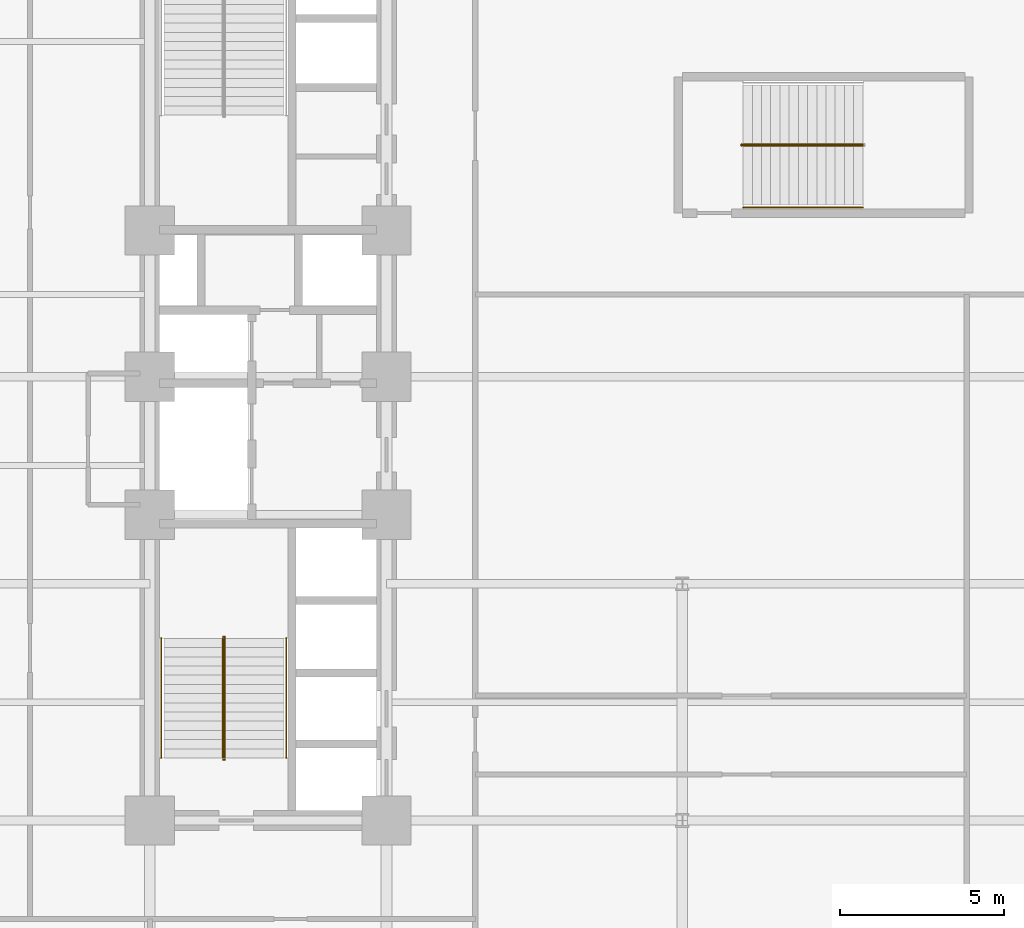
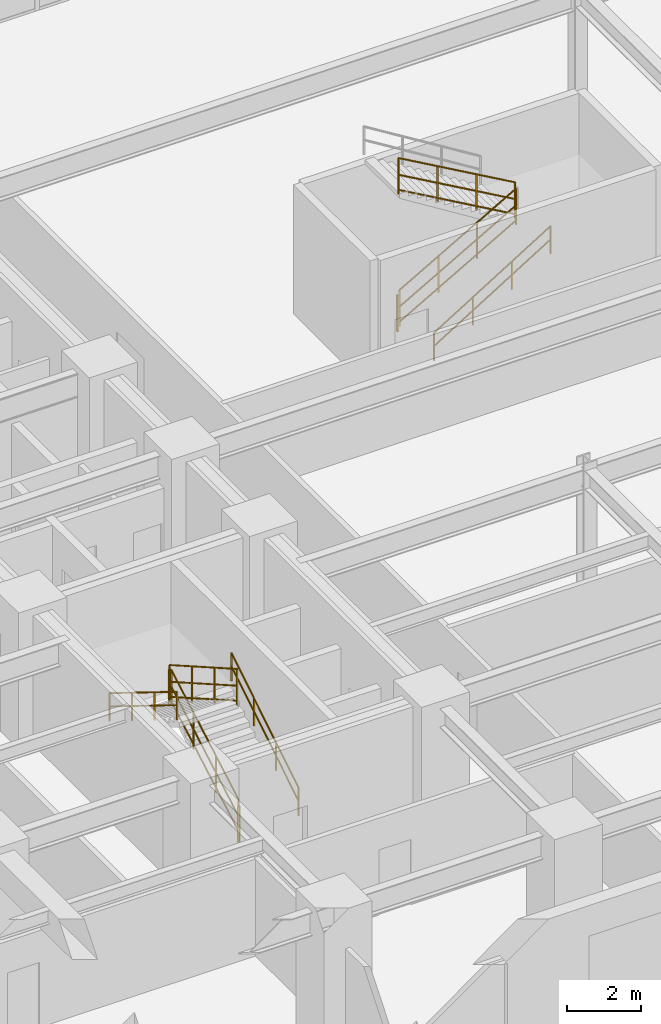
# One storey, part 13 of 15: 10 railings.
"""IFC4 building model written with IfcOpenShell, lengths in metres."""

from ifc_helpers import new_model, entity, si_unit, converted_unit, direction, frame, origin_with_axes, origin_2d_with_axis, place, context, subcontext, project, spatial, rectangle, circle, extrude, material, type_object, element, save


model = new_model("IFC4")

# Units and contexts
model_context = context("Model", 3, precision=1e-05, world=origin_with_axes(), true_north=direction((0.0, 1.0)))
body_context = subcontext(model_context, "Body", "Model", "MODEL_VIEW")
ifc_project = project(units=[si_unit("LENGTHUNIT", "METRE"), si_unit("AREAUNIT", "SQUARE_METRE"), si_unit("VOLUMEUNIT", "CUBIC_METRE"), converted_unit("PLANEANGLEUNIT", "DEGREE", entity("IfcPlaneAngleMeasure", 0.017453292519943295), si_unit("PLANEANGLEUNIT", "RADIAN"), dimensions=[0, 0, 0, 0, 0, 0, 0]), si_unit("MASSUNIT", "GRAM", prefix="KILO"), si_unit("THERMODYNAMICTEMPERATUREUNIT", "KELVIN")], contexts=[model_context])

# Site, building, storey
site_placement = place(None, origin_with_axes())
site = spatial("IfcSite", under=ifc_project, at=site_placement, CompositionType="ELEMENT")
building_placement = place(site_placement, origin_with_axes())
building = spatial("IfcBuilding", under=site, at=building_placement, Name="Varnlund Millrace Tower", CompositionType="ELEMENT")
storey_placement = place(building_placement, frame((0.0, 0.0, 15.3), z_axis=(0.0, 0.0, 1.0), x_axis=(1.0, 0.0, 0.0)))
storey = spatial("IfcBuildingStorey", under=building, at=storey_placement, Name="L03", CompositionType="ELEMENT", Elevation=15.3)

# Railings
ifc_material_1 = material(Name="Painted steel stair well balustrade guard", Category="steel")
railing_type_1 = type_object("IfcRailingType", Name="Type-StairGuard-1150", PredefinedType="GUARDRAIL", material=ifc_material_1)
railing_1_placement = place(storey_placement, frame((0.0, 0.0, -15.3), z_axis=(0.0, 0.0, 1.0), x_axis=(1.0, 0.0, 0.0)))
element("IfcRailing", 1, at=railing_1_placement, inside=storey, type_object=railing_type_1, Name="Type-StairGuard-1150", PredefinedType="GUARDRAIL", context=body_context, shape_type="SweptSolid", body=[
    extrude(circle(Radius=0.024, at=origin_2d_with_axis()), frame((13.675, 12.7, 16.623077), z_axis=(0.0, 0.868559, 0.495585), x_axis=(-1.0, 0.0, 0.0)), (0.0, 0.0, 1.0), 4.190848),
    extrude(circle(Radius=0.024, at=origin_2d_with_axis()), frame((13.675, 12.7, 15.573077), z_axis=(0.0, 0.868559, 0.495585), x_axis=(-1.0, 0.0, 0.0)), (0.0, 0.0, 1.0), 4.190848),
    extrude(circle(Radius=0.024, at=origin_2d_with_axis()), frame((13.675, 12.7, 16.071077), z_axis=(0.0, 0.868559, 0.495585), x_axis=(-1.0, 0.0, 0.0)), (0.0, 0.0, 1.0), 4.190848),
    extrude(rectangle(XDim=0.04, YDim=0.04, at=origin_2d_with_axis()), frame((13.675, 12.7, 15.433077), z_axis=(0.0, 0.0, 1.0), x_axis=(1.0, 0.0, 0.0)), (0.0, 0.0, 1.0), 1.19),
    extrude(rectangle(XDim=0.04, YDim=0.04, at=origin_2d_with_axis()), frame((13.675, 13.913333, 16.125385), z_axis=(0.0, 0.0, 1.0), x_axis=(1.0, 0.0, 0.0)), (0.0, 0.0, 1.0), 1.19),
    extrude(rectangle(XDim=0.04, YDim=0.04, at=origin_2d_with_axis()), frame((13.675, 15.126667, 16.817692), z_axis=(0.0, 0.0, 1.0), x_axis=(1.0, 0.0, 0.0)), (0.0, 0.0, 1.0), 1.19),
    extrude(rectangle(XDim=0.04, YDim=0.04, at=origin_2d_with_axis()), frame((13.675, 16.34, 17.51), z_axis=(0.0, 0.0, 1.0), x_axis=(1.0, 0.0, 0.0)), (0.0, 0.0, 1.0), 1.19),
])
railing_2_placement = place(storey_placement, frame((0.0, 0.0, -15.3), z_axis=(0.0, 0.0, 1.0), x_axis=(1.0, 0.0, 0.0)))
element("IfcRailing", 2, at=railing_2_placement, inside=storey, type_object=railing_type_1, Name="Type-StairGuard-1150", PredefinedType="GUARDRAIL", context=body_context, shape_type="SweptSolid", body=[
    extrude(circle(Radius=0.024, at=origin_2d_with_axis()), frame((13.625, 16.39, 18.7), z_axis=(1.0, 0.0, 0.0), x_axis=(0.0, 1.0, 0.0)), (0.0, 0.0, 1.0), 0.05),
    extrude(circle(Radius=0.024, at=origin_2d_with_axis()), frame((13.625, 16.39, 17.65), z_axis=(1.0, 0.0, 0.0), x_axis=(0.0, 1.0, 0.0)), (0.0, 0.0, 1.0), 0.05),
    extrude(circle(Radius=0.024, at=origin_2d_with_axis()), frame((13.625, 16.39, 18.148), z_axis=(1.0, 0.0, 0.0), x_axis=(0.0, 1.0, 0.0)), (0.0, 0.0, 1.0), 0.05),
    extrude(rectangle(XDim=0.04, YDim=0.04, at=origin_2d_with_axis()), frame((13.625, 16.39, 17.51), z_axis=(0.0, 0.0, 1.0), x_axis=(1.0, 0.0, 0.0)), (0.0, 0.0, 1.0), 1.19),
    extrude(rectangle(XDim=0.04, YDim=0.04, at=origin_2d_with_axis()), frame((13.675, 16.39, 17.51), z_axis=(0.0, 0.0, 1.0), x_axis=(1.0, 0.0, 0.0)), (0.0, 0.0, 1.0), 1.19),
])
railing_3_placement = place(storey_placement, frame((0.0, 0.0, -15.3), z_axis=(0.0, 0.0, 1.0), x_axis=(1.0, 0.0, 0.0)))
element("IfcRailing", 3, at=railing_3_placement, inside=storey, type_object=railing_type_1, Name="Type-StairGuard-1150", PredefinedType="GUARDRAIL", context=body_context, shape_type="SweptSolid", body=[
    extrude(circle(Radius=0.024, at=origin_2d_with_axis()), frame((13.625, 16.34, 18.873077), z_axis=(0.0, -0.868559, 0.495585), x_axis=(1.0, 0.0, 0.0)), (0.0, 0.0, 1.0), 4.190848),
    extrude(circle(Radius=0.024, at=origin_2d_with_axis()), frame((13.625, 16.34, 17.823077), z_axis=(0.0, -0.868559, 0.495585), x_axis=(1.0, 0.0, 0.0)), (0.0, 0.0, 1.0), 4.190848),
    extrude(circle(Radius=0.024, at=origin_2d_with_axis()), frame((13.625, 16.34, 18.321077), z_axis=(0.0, -0.868559, 0.495585), x_axis=(1.0, 0.0, 0.0)), (0.0, 0.0, 1.0), 4.190848),
    extrude(rectangle(XDim=0.04, YDim=0.04, at=origin_2d_with_axis()), frame((13.625, 16.34, 17.683077), z_axis=(0.0, 0.0, 1.0), x_axis=(1.0, 0.0, 0.0)), (0.0, 0.0, 1.0), 1.19),
    extrude(rectangle(XDim=0.04, YDim=0.04, at=origin_2d_with_axis()), frame((13.625, 15.126667, 18.375385), z_axis=(0.0, 0.0, 1.0), x_axis=(1.0, 0.0, 0.0)), (0.0, 0.0, 1.0), 1.19),
    extrude(rectangle(XDim=0.04, YDim=0.04, at=origin_2d_with_axis()), frame((13.625, 13.913333, 19.067692), z_axis=(0.0, 0.0, 1.0), x_axis=(1.0, 0.0, 0.0)), (0.0, 0.0, 1.0), 1.19),
    extrude(rectangle(XDim=0.04, YDim=0.04, at=origin_2d_with_axis()), frame((13.625, 12.7, 19.76), z_axis=(0.0, 0.0, 1.0), x_axis=(1.0, 0.0, 0.0)), (0.0, 0.0, 1.0), 1.19),
])
railing_4_placement = place(storey_placement, frame((0.0, 0.0, -15.3), z_axis=(0.0, 0.0, 1.0), x_axis=(1.0, 0.0, 0.0)))
element("IfcRailing", 4, at=railing_4_placement, inside=storey, type_object=railing_type_1, Name="Type-StairGuard-1150", PredefinedType="GUARDRAIL", context=body_context, shape_type="SweptSolid", body=[
    extrude(circle(Radius=0.024, at=origin_2d_with_axis()), frame((13.625, 12.65, 16.45), z_axis=(1.0, 0.0, 0.0), x_axis=(0.0, 1.0, 0.0)), (0.0, 0.0, 1.0), 0.05),
    extrude(circle(Radius=0.024, at=origin_2d_with_axis()), frame((13.625, 12.65, 15.4), z_axis=(1.0, 0.0, 0.0), x_axis=(0.0, 1.0, 0.0)), (0.0, 0.0, 1.0), 0.05),
    extrude(circle(Radius=0.024, at=origin_2d_with_axis()), frame((13.625, 12.65, 15.898), z_axis=(1.0, 0.0, 0.0), x_axis=(0.0, 1.0, 0.0)), (0.0, 0.0, 1.0), 0.05),
    extrude(rectangle(XDim=0.04, YDim=0.04, at=origin_2d_with_axis()), frame((13.625, 12.65, 15.26), z_axis=(0.0, 0.0, 1.0), x_axis=(1.0, 0.0, 0.0)), (0.0, 0.0, 1.0), 1.19),
    extrude(rectangle(XDim=0.04, YDim=0.04, at=origin_2d_with_axis()), frame((13.675, 12.65, 15.26), z_axis=(0.0, 0.0, 1.0), x_axis=(1.0, 0.0, 0.0)), (0.0, 0.0, 1.0), 1.19),
])
railing_5_placement = place(storey_placement, frame((0.0, 0.0, -15.3), z_axis=(0.0, 0.0, 1.0), x_axis=(1.0, 0.0, 0.0)))
element("IfcRailing", 5, at=railing_5_placement, inside=storey, type_object=railing_type_1, Name="Type-StairGuard-1150", PredefinedType="GUARDRAIL", context=body_context, shape_type="SweptSolid", body=[
    extrude(circle(Radius=0.024, at=origin_2d_with_axis()), frame((29.45, 31.325, 16.623077), z_axis=(0.868559, 0.0, 0.495585), x_axis=(0.0, 1.0, 0.0)), (0.0, 0.0, 1.0), 4.190848),
    extrude(circle(Radius=0.024, at=origin_2d_with_axis()), frame((29.45, 31.325, 15.573077), z_axis=(0.868559, 0.0, 0.495585), x_axis=(0.0, 1.0, 0.0)), (0.0, 0.0, 1.0), 4.190848),
    extrude(circle(Radius=0.024, at=origin_2d_with_axis()), frame((29.45, 31.325, 16.071077), z_axis=(0.868559, 0.0, 0.495585), x_axis=(0.0, 1.0, 0.0)), (0.0, 0.0, 1.0), 4.190848),
    extrude(rectangle(XDim=0.04, YDim=0.04, at=origin_2d_with_axis()), frame((29.45, 31.325, 15.433077), z_axis=(0.0, 0.0, 1.0), x_axis=(1.0, 0.0, 0.0)), (0.0, 0.0, 1.0), 1.19),
    extrude(rectangle(XDim=0.04, YDim=0.04, at=origin_2d_with_axis()), frame((30.663333, 31.325, 16.125385), z_axis=(0.0, 0.0, 1.0), x_axis=(1.0, 0.0, 0.0)), (0.0, 0.0, 1.0), 1.19),
    extrude(rectangle(XDim=0.04, YDim=0.04, at=origin_2d_with_axis()), frame((31.876667, 31.325, 16.817692), z_axis=(0.0, 0.0, 1.0), x_axis=(1.0, 0.0, 0.0)), (0.0, 0.0, 1.0), 1.19),
    extrude(rectangle(XDim=0.04, YDim=0.04, at=origin_2d_with_axis()), frame((33.09, 31.325, 17.51), z_axis=(0.0, 0.0, 1.0), x_axis=(1.0, 0.0, 0.0)), (0.0, 0.0, 1.0), 1.19),
])
railing_6_placement = place(storey_placement, frame((0.0, 0.0, -15.3), z_axis=(0.0, 0.0, 1.0), x_axis=(1.0, 0.0, 0.0)))
element("IfcRailing", 6, at=railing_6_placement, inside=storey, type_object=railing_type_1, Name="Type-StairGuard-1150", PredefinedType="GUARDRAIL", context=body_context, shape_type="SweptSolid", body=[
    extrude(circle(Radius=0.024, at=origin_2d_with_axis()), frame((33.09, 31.375, 18.873077), z_axis=(-0.868559, 0.0, 0.495585), x_axis=(0.0, -1.0, 0.0)), (0.0, 0.0, 1.0), 4.190848),
    extrude(circle(Radius=0.024, at=origin_2d_with_axis()), frame((33.09, 31.375, 17.823077), z_axis=(-0.868559, 0.0, 0.495585), x_axis=(0.0, -1.0, 0.0)), (0.0, 0.0, 1.0), 4.190848),
    extrude(circle(Radius=0.024, at=origin_2d_with_axis()), frame((33.09, 31.375, 18.321077), z_axis=(-0.868559, 0.0, 0.495585), x_axis=(0.0, -1.0, 0.0)), (0.0, 0.0, 1.0), 4.190848),
    extrude(rectangle(XDim=0.04, YDim=0.04, at=origin_2d_with_axis()), frame((33.09, 31.375, 17.683077), z_axis=(0.0, 0.0, 1.0), x_axis=(1.0, 0.0, 0.0)), (0.0, 0.0, 1.0), 1.19),
    extrude(rectangle(XDim=0.04, YDim=0.04, at=origin_2d_with_axis()), frame((31.876667, 31.375, 18.375385), z_axis=(0.0, 0.0, 1.0), x_axis=(1.0, 0.0, 0.0)), (0.0, 0.0, 1.0), 1.19),
    extrude(rectangle(XDim=0.04, YDim=0.04, at=origin_2d_with_axis()), frame((30.663333, 31.375, 19.067692), z_axis=(0.0, 0.0, 1.0), x_axis=(1.0, 0.0, 0.0)), (0.0, 0.0, 1.0), 1.19),
    extrude(rectangle(XDim=0.04, YDim=0.04, at=origin_2d_with_axis()), frame((29.45, 31.375, 19.76), z_axis=(0.0, 0.0, 1.0), x_axis=(1.0, 0.0, 0.0)), (0.0, 0.0, 1.0), 1.19),
])
railing_7_placement = place(storey_placement, frame((0.0, 0.0, -15.3), z_axis=(0.0, 0.0, 1.0), x_axis=(1.0, 0.0, 0.0)))
element("IfcRailing", 7, at=railing_7_placement, inside=storey, type_object=railing_type_1, Name="Type-StairGuard-1150", PredefinedType="GUARDRAIL", context=body_context, shape_type="SweptSolid", body=[
    extrude(circle(Radius=0.024, at=origin_2d_with_axis()), frame((29.4, 31.375, 16.45), z_axis=(0.0, -1.0, 0.0), x_axis=(1.0, 0.0, 0.0)), (0.0, 0.0, 1.0), 0.05),
    extrude(circle(Radius=0.024, at=origin_2d_with_axis()), frame((29.4, 31.375, 15.4), z_axis=(0.0, -1.0, 0.0), x_axis=(1.0, 0.0, 0.0)), (0.0, 0.0, 1.0), 0.05),
    extrude(circle(Radius=0.024, at=origin_2d_with_axis()), frame((29.4, 31.375, 15.898), z_axis=(0.0, -1.0, 0.0), x_axis=(1.0, 0.0, 0.0)), (0.0, 0.0, 1.0), 0.05),
    extrude(rectangle(XDim=0.04, YDim=0.04, at=origin_2d_with_axis()), frame((29.4, 31.375, 15.26), z_axis=(0.0, 0.0, 1.0), x_axis=(1.0, 0.0, 0.0)), (0.0, 0.0, 1.0), 1.19),
    extrude(rectangle(XDim=0.04, YDim=0.04, at=origin_2d_with_axis()), frame((29.4, 31.325, 15.26), z_axis=(0.0, 0.0, 1.0), x_axis=(1.0, 0.0, 0.0)), (0.0, 0.0, 1.0), 1.19),
])
ifc_material_2 = material(Name="Brushed architectural bronze stair handrail", Category="aluminium")
railing_type_2 = type_object("IfcRailingType", Name="Type-StairHandrail-900", PredefinedType="HANDRAIL", material=ifc_material_2)
railing_8_placement = place(storey_placement, frame((0.0, 0.0, -15.3), z_axis=(0.0, 0.0, 1.0), x_axis=(1.0, 0.0, 0.0)))
element("IfcRailing", 8, at=railing_8_placement, inside=storey, type_object=railing_type_2, Name="Type-StairHandrail-900", PredefinedType="HANDRAIL", context=body_context, shape_type="SweptSolid", body=[
    extrude(circle(Radius=0.024, at=origin_2d_with_axis()), frame((15.55, 12.7, 16.352662), z_axis=(0.0, 0.850614, 0.525791), x_axis=(-1.0, 0.0, 0.0)), (0.0, 0.0, 1.0), 4.279264),
    extrude(circle(Radius=0.024, at=origin_2d_with_axis()), frame((15.55, 12.7, 15.91287), z_axis=(0.0, 0.850614, 0.525791), x_axis=(-1.0, 0.0, 0.0)), (0.0, 0.0, 1.0), 4.279264),
    extrude(rectangle(XDim=0.04, YDim=0.04, at=origin_2d_with_axis()), frame((15.55, 12.7, 15.433077), z_axis=(0.0, 0.0, 1.0), x_axis=(1.0, 0.0, 0.0)), (0.0, 0.0, 1.0), 0.919585),
    extrude(rectangle(XDim=0.04, YDim=0.04, at=origin_2d_with_axis()), frame((15.55, 13.913333, 16.183077), z_axis=(0.0, 0.0, 1.0), x_axis=(1.0, 0.0, 0.0)), (0.0, 0.0, 1.0), 0.919585),
    extrude(rectangle(XDim=0.04, YDim=0.04, at=origin_2d_with_axis()), frame((15.55, 15.126667, 16.933077), z_axis=(0.0, 0.0, 1.0), x_axis=(1.0, 0.0, 0.0)), (0.0, 0.0, 1.0), 0.919585),
    extrude(rectangle(XDim=0.04, YDim=0.04, at=origin_2d_with_axis()), frame((15.55, 16.34, 17.683077), z_axis=(0.0, 0.0, 1.0), x_axis=(1.0, 0.0, 0.0)), (0.0, 0.0, 1.0), 0.919585),
])
railing_9_placement = place(storey_placement, frame((0.0, 0.0, -15.3), z_axis=(0.0, 0.0, 1.0), x_axis=(1.0, 0.0, 0.0)))
element("IfcRailing", 9, at=railing_9_placement, inside=storey, type_object=railing_type_2, Name="Type-StairHandrail-900", PredefinedType="HANDRAIL", context=body_context, shape_type="SweptSolid", body=[
    extrude(circle(Radius=0.024, at=origin_2d_with_axis()), frame((11.75, 16.34, 18.602662), z_axis=(0.0, -0.850614, 0.525791), x_axis=(1.0, 0.0, 0.0)), (0.0, 0.0, 1.0), 4.279264),
    extrude(circle(Radius=0.024, at=origin_2d_with_axis()), frame((11.75, 16.34, 18.16287), z_axis=(0.0, -0.850614, 0.525791), x_axis=(1.0, 0.0, 0.0)), (0.0, 0.0, 1.0), 4.279264),
    extrude(rectangle(XDim=0.04, YDim=0.04, at=origin_2d_with_axis()), frame((11.75, 16.34, 17.683077), z_axis=(0.0, 0.0, 1.0), x_axis=(1.0, 0.0, 0.0)), (0.0, 0.0, 1.0), 0.919585),
    extrude(rectangle(XDim=0.04, YDim=0.04, at=origin_2d_with_axis()), frame((11.75, 15.126667, 18.433077), z_axis=(0.0, 0.0, 1.0), x_axis=(1.0, 0.0, 0.0)), (0.0, 0.0, 1.0), 0.919585),
    extrude(rectangle(XDim=0.04, YDim=0.04, at=origin_2d_with_axis()), frame((11.75, 13.913333, 19.183077), z_axis=(0.0, 0.0, 1.0), x_axis=(1.0, 0.0, 0.0)), (0.0, 0.0, 1.0), 0.919585),
    extrude(rectangle(XDim=0.04, YDim=0.04, at=origin_2d_with_axis()), frame((11.75, 12.7, 19.933077), z_axis=(0.0, 0.0, 1.0), x_axis=(1.0, 0.0, 0.0)), (0.0, 0.0, 1.0), 0.919585),
])
railing_10_placement = place(storey_placement, frame((0.0, 0.0, -15.3), z_axis=(0.0, 0.0, 1.0), x_axis=(1.0, 0.0, 0.0)))
element("IfcRailing", 10, at=railing_10_placement, inside=storey, type_object=railing_type_2, Name="Type-StairHandrail-900", PredefinedType="HANDRAIL", context=body_context, shape_type="SweptSolid", body=[
    extrude(circle(Radius=0.024, at=origin_2d_with_axis()), frame((29.45, 29.45, 16.352662), z_axis=(0.850614, 0.0, 0.525791), x_axis=(0.0, 1.0, 0.0)), (0.0, 0.0, 1.0), 4.279264),
    extrude(circle(Radius=0.024, at=origin_2d_with_axis()), frame((29.45, 29.45, 15.91287), z_axis=(0.850614, 0.0, 0.525791), x_axis=(0.0, 1.0, 0.0)), (0.0, 0.0, 1.0), 4.279264),
    extrude(rectangle(XDim=0.04, YDim=0.04, at=origin_2d_with_axis()), frame((29.45, 29.45, 15.433077), z_axis=(0.0, 0.0, 1.0), x_axis=(1.0, 0.0, 0.0)), (0.0, 0.0, 1.0), 0.919585),
    extrude(rectangle(XDim=0.04, YDim=0.04, at=origin_2d_with_axis()), frame((30.663333, 29.45, 16.183077), z_axis=(0.0, 0.0, 1.0), x_axis=(1.0, 0.0, 0.0)), (0.0, 0.0, 1.0), 0.919585),
    extrude(rectangle(XDim=0.04, YDim=0.04, at=origin_2d_with_axis()), frame((31.876667, 29.45, 16.933077), z_axis=(0.0, 0.0, 1.0), x_axis=(1.0, 0.0, 0.0)), (0.0, 0.0, 1.0), 0.919585),
    extrude(rectangle(XDim=0.04, YDim=0.04, at=origin_2d_with_axis()), frame((33.09, 29.45, 17.683077), z_axis=(0.0, 0.0, 1.0), x_axis=(1.0, 0.0, 0.0)), (0.0, 0.0, 1.0), 0.919585),
])

save(model, "model.ifc")
